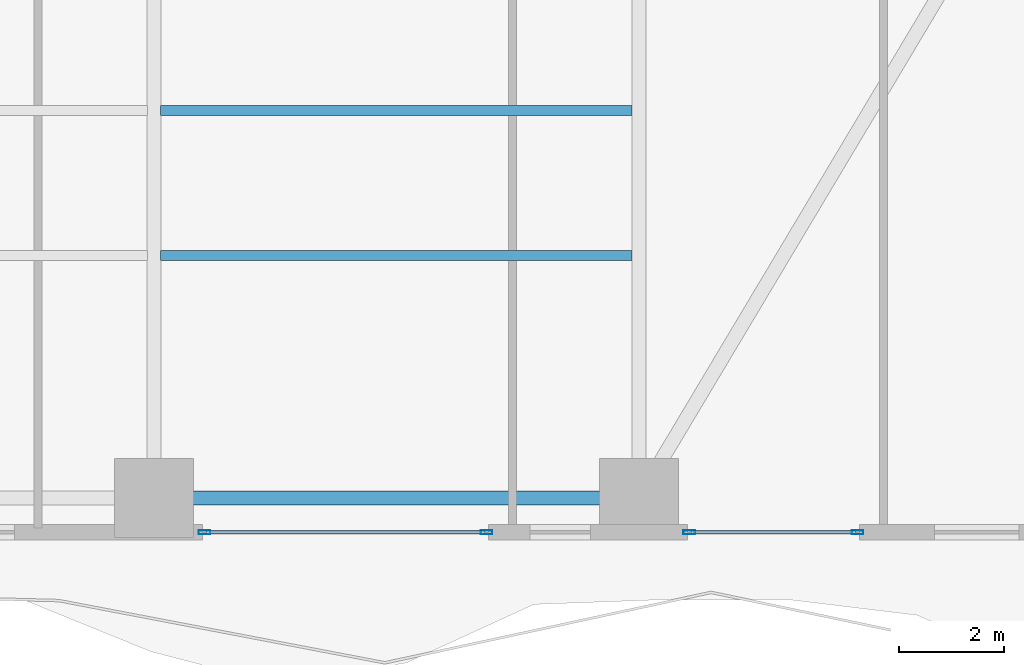
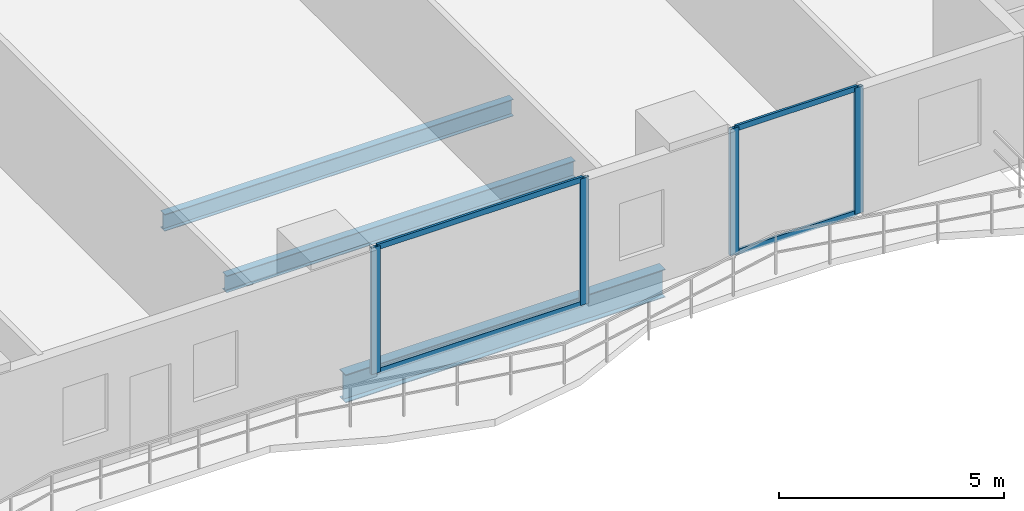
# One storey, part 8 of 29: 8 members, 3 beams, 2 elements without a shape of their own.
"""IFC4 building model written with IfcOpenShell, lengths in metres."""

from ifc_helpers import new_model, si_unit, direction, frame, origin, origin_2d, place, context, subcontext, project, spatial, hollow_rectangle, i_section, extrude, material, layer, layer_set, material_profile, profile_set, type_object, element, aggregate, save


model = new_model("IFC4")

# Units and contexts
model_context = context("Model", 3, precision=1e-05, world=origin(), true_north=direction((0.0, 1.0)))
body_context = subcontext(model_context, "Body", "Model", "MODEL_VIEW")
ifc_project = project(units=[si_unit("LENGTHUNIT", "METRE"), si_unit("AREAUNIT", "SQUARE_METRE"), si_unit("VOLUMEUNIT", "CUBIC_METRE"), si_unit("PLANEANGLEUNIT", "RADIAN"), si_unit("MASSUNIT", "GRAM", prefix="KILO")], contexts=[model_context])

# Site, building, storey
site_placement = place(None, origin())
site = spatial("IfcSite", under=ifc_project, at=site_placement, CompositionType="ELEMENT")
building_placement = place(site_placement, origin())
building = spatial("IfcBuilding", under=site, at=building_placement, Name="Zuhayl Quay Hotel", CompositionType="ELEMENT")
storey_placement = place(building_placement, frame((0.0, 0.0, 45.85009765625)))
storey = spatial("IfcBuildingStorey", under=building, at=storey_placement, Name="L10", CompositionType="ELEMENT", Elevation=45.85009765625)

# Beams
ifc_material_1 = material(Name="Steel ASTM A992 Grade 50", Category="steel")
ifc_material_profile_1 = material_profile(ifc_material_1, i_section(OverallWidth=0.26708984375, OverallDepth=0.761962890625, WebThickness=0.014404296875, FlangeThickness=0.021484375, at=origin_2d()), Name="W30X116")
ifc_profile_set_1 = profile_set([ifc_material_profile_1], Name="Steel ASTM A992 Grade 50")
beam_type_1 = type_object("IfcBeamType", Name="BM_B1_W30X116", PredefinedType="BEAM", material=ifc_profile_set_1)
beam_placement = place(storey_placement, frame((5.10009765625, -22.449951171875, -0.60107421875), z_axis=(1.0, 0.0, 0.0), x_axis=(0.0, 1.0, 0.0)))
element("IfcBeam", 1, at=beam_placement, inside=storey, type_object=beam_type_1, Name="L10 Floor Beam RG_L10_03", PredefinedType="BEAM", context=body_context, shape_type="SweptSolid", body=[
    extrude(i_section(OverallWidth=0.26708984375, OverallDepth=0.761962890625, WebThickness=0.014404296875, FlangeThickness=0.021484375, at=origin_2d()), origin(), (0.0, 0.0, 1.0), 8.199951171875),
])
ifc_material_profile_2 = material_profile(ifc_material_1, i_section(OverallWidth=0.18994140625, OverallDepth=0.45703125, WebThickness=0.009033203125, FlangeThickness=0.014404296875, at=origin_2d()), Name="W18X50")
ifc_profile_set_2 = profile_set([ifc_material_profile_2], Name="Steel ASTM A992 Grade 50")
beam_type_2 = type_object("IfcBeamType", Name="BM_J2_W18X50", PredefinedType="JOIST", material=ifc_profile_set_2)
for number, where, z_axis, x_axis, name in (
    (2, (4.7255859375, -17.85009765625, -0.448486328125), (1.0, 0.0, 0.0), (0.0, 1.0, 0.0), "L10 Floor Beam FJ_L10_3_3"),
    (3, (4.7255859375, -15.10009765625, -0.448486328125), (1.0, 0.0, 0.0), (0.0, 1.0, 0.0), "L10 Floor Beam FJ_L10_4_3"),
):
    element("IfcBeam", number, at=place(storey_placement, frame(where, z_axis=z_axis, x_axis=x_axis)), inside=storey, type_object=beam_type_2, Name=name, PredefinedType="JOIST", context=body_context, shape_type="SweptSolid", body=[
        extrude(i_section(OverallWidth=0.18994140625, OverallDepth=0.45703125, WebThickness=0.009033203125, FlangeThickness=0.014404296875, at=origin_2d()), origin(), (0.0, 0.0, 1.0), 8.948974609375),
    ])

# Curtain wall, members
ifc_material_2 = material(Name="Anodised Aluminium 6063-T6", Category="aluminium")
ifc_layer = layer(ifc_material_2, 0.18994140625, Name="Anodised Aluminium 6063-T6", Category="aluminium")
ifc_layer_set = layer_set([ifc_layer], Name="Anodised Aluminium 6063-T6")
curtain_wall_type = type_object("IfcCurtainWallType", Name="CW_SYS_Z1", PredefinedType="USERDEFINED", material=ifc_layer_set)
curtain_wall_1_placement = place(storey_placement, origin())
curtain_wall_1 = element("IfcCurtainWall", 4, at=curtain_wall_1_placement, inside=storey, type_object=curtain_wall_type, Name="L10 Curtain Wall ENV_L10_S_CW1", ObjectType="UNITISED CURTAIN WALL", PredefinedType="USERDEFINED")
ifc_material_3 = material(Name="Black-anodised aluminium 6063-T6", Category="aluminium")
ifc_material_profile_3 = material_profile(ifc_material_3, hollow_rectangle(XDim=0.074951171875, YDim=0.219970703125, WallThickness=0.00390625, at=origin_2d()), Name="ALU220X75")
ifc_profile_set_3 = profile_set([ifc_material_profile_3], Name="Black-anodised aluminium 6063-T6")
member_type_1 = type_object("IfcMemberType", Name="MB_CW_MUL_220", PredefinedType="MULLION", material=ifc_profile_set_3)
member_1_placement = place(storey_placement, frame((17.952392578125, -23.10009765625, 0.0), z_axis=(0.0, 0.0, 1.0), x_axis=(0.0, -1.0, 0.0)))
member_1 = element("IfcMember", 5, at=member_1_placement, type_object=member_type_1, Name="CW-Z1 mullion 1", PredefinedType="MULLION", context=body_context, shape_type="SweptSolid", body=[
    extrude(hollow_rectangle(XDim=0.074951171875, YDim=0.219970703125, WallThickness=0.00390625, at=origin_2d()), origin(), (0.0, 0.0, 1.0), 3.429931640625),
])
member_2_placement = place(storey_placement, frame((14.757568359375, -23.10009765625, 0.0), z_axis=(0.0, 0.0, 1.0), x_axis=(0.0, -1.0, 0.0)))
member_2 = element("IfcMember", 6, at=member_2_placement, type_object=member_type_1, Name="CW-Z1 mullion 2", PredefinedType="MULLION", context=body_context, shape_type="SweptSolid", body=[
    extrude(hollow_rectangle(XDim=0.074951171875, YDim=0.219970703125, WallThickness=0.00390625, at=origin_2d()), origin(), (0.0, 0.0, 1.0), 3.429931640625),
])

curtain_wall_2_placement = place(storey_placement, origin())
curtain_wall_2 = element("IfcCurtainWall", 7, at=curtain_wall_2_placement, inside=storey, type_object=curtain_wall_type, Name="L10 Curtain Wall ENV_L10_S_CW2", ObjectType="UNITISED CURTAIN WALL", PredefinedType="USERDEFINED")
member_3_placement = place(storey_placement, frame((10.91259765625, -23.10009765625, 0.0), z_axis=(0.0, 0.0, 1.0), x_axis=(0.0, -1.0, 0.0)))
member_3 = element("IfcMember", 8, at=member_3_placement, type_object=member_type_1, Name="CW-Z1 mullion 1", PredefinedType="MULLION", context=body_context, shape_type="SweptSolid", body=[
    extrude(hollow_rectangle(XDim=0.074951171875, YDim=0.219970703125, WallThickness=0.00390625, at=origin_2d()), origin(), (0.0, 0.0, 1.0), 3.429931640625),
])
member_4_placement = place(storey_placement, frame((5.5576171875, -23.10009765625, 0.0), z_axis=(0.0, 0.0, 1.0), x_axis=(0.0, -1.0, 0.0)))
member_4 = element("IfcMember", 9, at=member_4_placement, type_object=member_type_1, Name="CW-Z1 mullion 2", PredefinedType="MULLION", context=body_context, shape_type="SweptSolid", body=[
    extrude(hollow_rectangle(XDim=0.074951171875, YDim=0.219970703125, WallThickness=0.00390625, at=origin_2d()), origin(), (0.0, 0.0, 1.0), 3.429931640625),
])

# Member
ifc_material_profile_4 = material_profile(ifc_material_3, hollow_rectangle(XDim=0.06005859375, YDim=0.14990234375, WallThickness=0.00341796875, at=origin_2d()), Name="ALU150X60")
ifc_profile_set_4 = profile_set([ifc_material_profile_4], Name="Black-anodised aluminium 6063-T6")
member_type_2 = type_object("IfcMemberType", Name="MB_CW_TRN_150", PredefinedType="USERDEFINED", material=ifc_profile_set_4)
member_5_placement = place(storey_placement, frame((17.9150390625, -23.10009765625, 0.02978515625), z_axis=(-1.0, 0.0, 0.0), x_axis=(0.0, -1.0, 0.0)))
member_5 = element("IfcMember", 10, at=member_5_placement, type_object=member_type_2, Name="CW-Z1 transom 1.1", ObjectType="TRANSOM", PredefinedType="USERDEFINED", context=body_context, shape_type="SweptSolid", body=[
    extrude(hollow_rectangle(XDim=0.06005859375, YDim=0.14990234375, WallThickness=0.00341796875, at=origin_2d()), origin(), (0.0, 0.0, 1.0), 3.1201171875),
])

member_6_placement = place(storey_placement, frame((17.9150390625, -23.10009765625, 3.39990234375), z_axis=(-1.0, 0.0, 0.0), x_axis=(0.0, -1.0, 0.0)))
member_6 = element("IfcMember", 11, at=member_6_placement, type_object=member_type_2, Name="CW-Z1 transom 1.2", ObjectType="TRANSOM", PredefinedType="USERDEFINED", context=body_context, shape_type="SweptSolid", body=[
    extrude(hollow_rectangle(XDim=0.06005859375, YDim=0.14990234375, WallThickness=0.00341796875, at=origin_2d()), origin(), (0.0, 0.0, 1.0), 3.1201171875),
])

aggregate(curtain_wall_1, [member_1, member_2, member_5, member_6])

member_7_placement = place(storey_placement, frame((10.875, -23.10009765625, 0.02978515625), z_axis=(-1.0, 0.0, 0.0), x_axis=(0.0, -1.0, 0.0)))
member_7 = element("IfcMember", 12, at=member_7_placement, type_object=member_type_2, Name="CW-Z1 transom 1.1", ObjectType="TRANSOM", PredefinedType="USERDEFINED", context=body_context, shape_type="SweptSolid", body=[
    extrude(hollow_rectangle(XDim=0.06005859375, YDim=0.14990234375, WallThickness=0.00341796875, at=origin_2d()), origin(), (0.0, 0.0, 1.0), 5.280029296875),
])

member_8_placement = place(storey_placement, frame((10.875, -23.10009765625, 3.39990234375), z_axis=(-1.0, 0.0, 0.0), x_axis=(0.0, -1.0, 0.0)))
member_8 = element("IfcMember", 13, at=member_8_placement, type_object=member_type_2, Name="CW-Z1 transom 1.2", ObjectType="TRANSOM", PredefinedType="USERDEFINED", context=body_context, shape_type="SweptSolid", body=[
    extrude(hollow_rectangle(XDim=0.06005859375, YDim=0.14990234375, WallThickness=0.00341796875, at=origin_2d()), origin(), (0.0, 0.0, 1.0), 5.280029296875),
])

aggregate(curtain_wall_2, [member_3, member_4, member_7, member_8])

save(model, "model.ifc")
